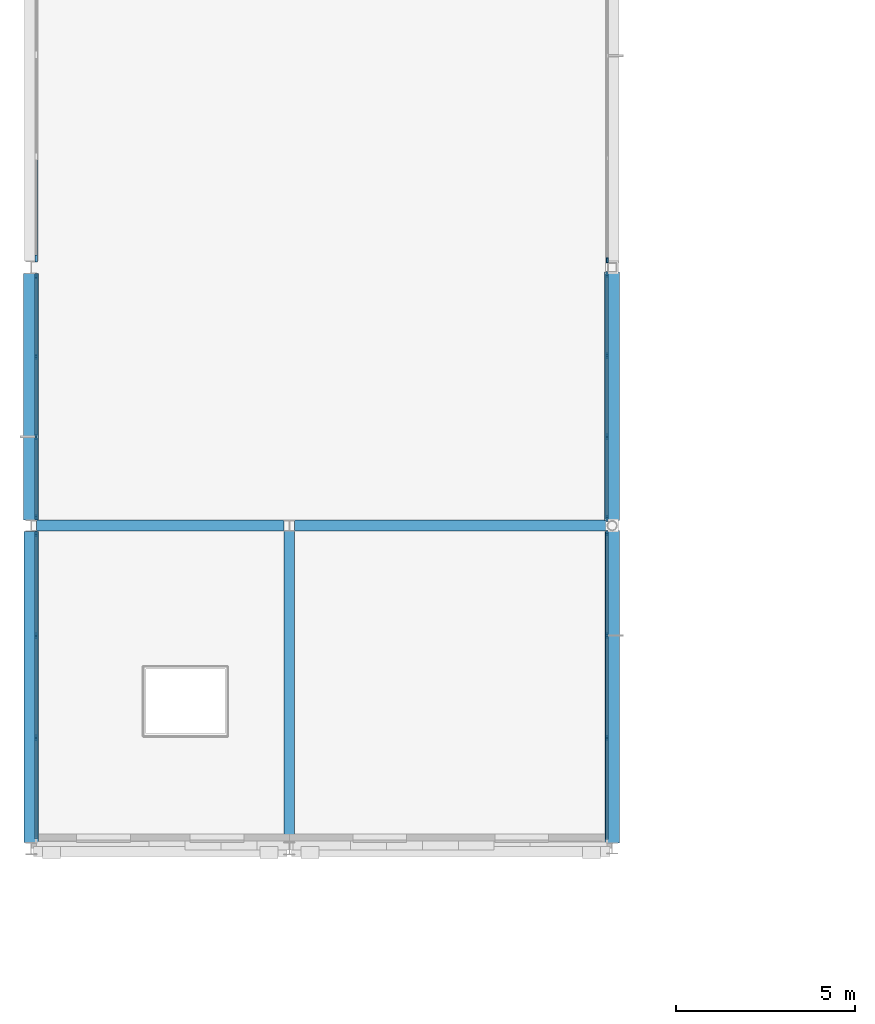
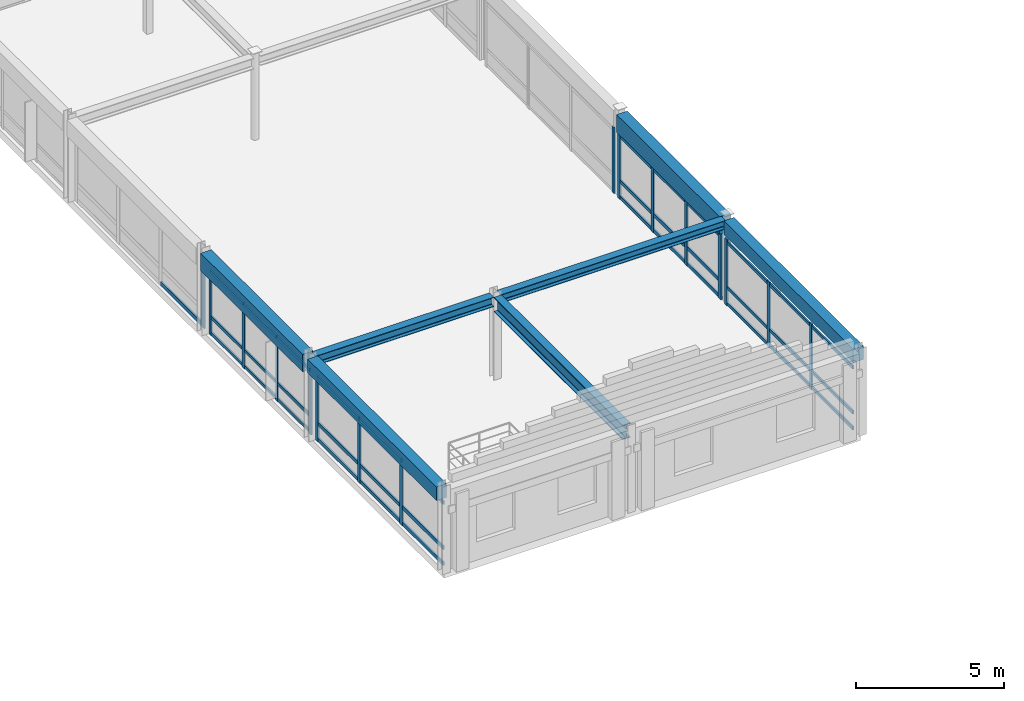
# One storey, part 13 of 52: 53 members, 7 beams, 6 elements without a shape of their own.
"""IFC4 building model written with IfcOpenShell, lengths in metres."""

from ifc_helpers import new_model, si_unit, direction, frame, origin, origin_2d, place, context, subcontext, project, spatial, rectangle, i_section, extrude, material, material_profile, profile_set, type_object, element, aggregate, save


model = new_model("IFC4")

# Units and contexts
model_context = context("Model", 3, precision=1e-05, world=origin(), true_north=direction((0.0, 1.0)))
body_context = subcontext(model_context, "Body", "Model", "MODEL_VIEW")
ifc_project = project(units=[si_unit("LENGTHUNIT", "METRE"), si_unit("AREAUNIT", "SQUARE_METRE"), si_unit("VOLUMEUNIT", "CUBIC_METRE"), si_unit("PLANEANGLEUNIT", "RADIAN"), si_unit("MASSUNIT", "GRAM", prefix="KILO")], contexts=[model_context])

# Site, building, storey
site_placement = place(None, origin())
site = spatial("IfcSite", under=ifc_project, at=site_placement, CompositionType="ELEMENT")
building_placement = place(site_placement, origin())
building = spatial("IfcBuilding", under=site, at=building_placement, Name="Clarverna Civic Hall", CompositionType="ELEMENT")
storey_placement = place(building_placement, frame((0.0, 0.0, 16.800048828125)))
storey = spatial("IfcBuildingStorey", under=building, at=storey_placement, Name="L04", CompositionType="ELEMENT", Elevation=16.800048828125)

# Beams
ifc_material_1 = material(Name="Concrete C35/45", Category="concrete")
ifc_material_profile_1 = material_profile(ifc_material_1, rectangle(XDim=0.419921875, YDim=0.719970703125, at=origin_2d()), Name="RC 420x720")
ifc_profile_set_1 = profile_set([ifc_material_profile_1], Name="Concrete C35/45")
beam_type_1 = type_object("IfcBeamType", Name="B-SP1", PredefinedType="SPANDREL", material=ifc_profile_set_1)
beam_1_placement = place(storey_placement, frame((0.0, 71.760009765625, 3.06005859375), z_axis=(0.0, 1.0, 0.0), x_axis=(-1.0, 0.0, 0.0)))
element("IfcBeam", 1, at=beam_1_placement, inside=storey, type_object=beam_type_1, Name="B-SP1-135", PredefinedType="SPANDREL", context=body_context, shape_type="SweptSolid", body=[
    extrude(rectangle(XDim=0.419921875, YDim=0.719970703125, at=origin_2d()), origin(), (0.0, 0.0, 1.0), 6.864990234375),
])
beam_2_placement = place(storey_placement, frame((16.199951171875, 71.736572265625, 3.06005859375), z_axis=(0.0, 1.0, 0.0), x_axis=(-1.0, 0.0, 0.0)))
element("IfcBeam", 2, at=beam_2_placement, inside=storey, type_object=beam_type_1, Name="B-SP1-137", PredefinedType="SPANDREL", context=body_context, shape_type="SweptSolid", body=[
    extrude(rectangle(XDim=0.419921875, YDim=0.719970703125, at=origin_2d()), origin(), (0.0, 0.0, 1.0), 6.9384765625),
])
ifc_material_profile_2 = material_profile(ifc_material_1, rectangle(XDim=0.39990234375, YDim=0.56005859375, at=origin_2d()), Name="RC 400x560")
ifc_profile_set_2 = profile_set([ifc_material_profile_2], Name="Concrete C35/45")
beam_type_2 = type_object("IfcBeamType", Name="B-SP4", PredefinedType="SPANDREL", material=ifc_profile_set_2)
beam_3_placement = place(storey_placement, frame((0.0, 62.77001953125, 3.139892578125), z_axis=(0.0, 1.0, 0.0), x_axis=(-1.0, 0.0, 0.0)))
element("IfcBeam", 3, at=beam_3_placement, inside=storey, type_object=beam_type_2, Name="B-SP4-138", PredefinedType="SPANDREL", context=body_context, shape_type="SweptSolid", body=[
    extrude(rectangle(XDim=0.39990234375, YDim=0.56005859375, at=origin_2d()), origin(), (0.0, 0.0, 1.0), 8.669921875),
])
beam_4_placement = place(storey_placement, frame((16.199951171875, 62.7548828125, 3.139892578125), z_axis=(0.0, 1.0, 0.0), x_axis=(-1.0, 0.0, 0.0)))
element("IfcBeam", 4, at=beam_4_placement, inside=storey, type_object=beam_type_2, Name="B-SP4-140", PredefinedType="SPANDREL", context=body_context, shape_type="SweptSolid", body=[
    extrude(rectangle(XDim=0.39990234375, YDim=0.56005859375, at=origin_2d()), origin(), (0.0, 0.0, 1.0), 8.70849609375),
])
ifc_material_2 = material(Name="Steel S355", Category="steel")
ifc_material_profile_3 = material_profile(ifc_material_2, i_section(OverallWidth=0.300048828125, OverallDepth=0.60009765625, WebThickness=0.015380859375, FlangeThickness=0.030029296875, FilletRadius=0.027099609375, at=origin_2d()), Name="HEB 600")
ifc_profile_set_3 = profile_set([ifc_material_profile_3], Name="Steel S355")
beam_type_3 = type_object("IfcBeamType", Name="B-ST1", PredefinedType="BEAM", material=ifc_profile_set_3)
beam_5_placement = place(storey_placement, frame((7.199951171875, 62.77490234375, 3.119873046875), z_axis=(0.0, 1.0, 0.0), x_axis=(-1.0, 0.0, 0.0)))
element("IfcBeam", 5, at=beam_5_placement, inside=storey, type_object=beam_type_3, Name="B-ST1-019", PredefinedType="BEAM", context=body_context, shape_type="SweptSolid", body=[
    extrude(i_section(OverallWidth=0.300048828125, OverallDepth=0.60009765625, WebThickness=0.015380859375, FlangeThickness=0.030029296875, FilletRadius=0.027099609375, at=origin_2d()), origin(), (0.0, 0.0, 1.0), 8.670166015625),
])
ifc_material_profile_4 = material_profile(ifc_material_2, i_section(OverallWidth=0.300048828125, OverallDepth=0.389892578125, WebThickness=0.010986328125, FlangeThickness=0.01904296875, FilletRadius=0.027099609375, at=origin_2d()), Name="HEA 400")
ifc_profile_set_4 = profile_set([ifc_material_profile_4], Name="Steel S355")
beam_type_4 = type_object("IfcBeamType", Name="B-ST6", PredefinedType="BEAM", material=ifc_profile_set_4)
beam_6_placement = place(storey_placement, frame((0.14990234375, 71.60009765625, 3.224853515625), z_axis=(1.0, 0.0, 0.0), x_axis=(0.0, 1.0, 0.0)))
element("IfcBeam", 6, at=beam_6_placement, inside=storey, type_object=beam_type_4, Name="B-ST6-017", PredefinedType="BEAM", context=body_context, shape_type="SweptSolid", body=[
    extrude(i_section(OverallWidth=0.300048828125, OverallDepth=0.389892578125, WebThickness=0.010986328125, FlangeThickness=0.01904296875, FilletRadius=0.027099609375, at=origin_2d()), origin(), (0.0, 0.0, 1.0), 6.900146484375),
])
ifc_material_profile_5 = material_profile(ifc_material_2, i_section(OverallWidth=0.300048828125, OverallDepth=0.35009765625, WebThickness=0.010009765625, FlangeThickness=0.017578125, FilletRadius=0.027099609375, at=origin_2d()), Name="HEA 360")
ifc_profile_set_5 = profile_set([ifc_material_profile_5], Name="Steel S355")
beam_type_5 = type_object("IfcBeamType", Name="B-ST7", PredefinedType="BEAM", material=ifc_profile_set_5)
beam_7_placement = place(storey_placement, frame((7.35009765625, 71.60009765625, 3.244873046875), z_axis=(1.0, 0.0, 0.0), x_axis=(0.0, 1.0, 0.0)))
element("IfcBeam", 7, at=beam_7_placement, inside=storey, type_object=beam_type_5, Name="B-ST7-018", PredefinedType="BEAM", context=body_context, shape_type="SweptSolid", body=[
    extrude(i_section(OverallWidth=0.300048828125, OverallDepth=0.35009765625, WebThickness=0.010009765625, FlangeThickness=0.017578125, FilletRadius=0.027099609375, at=origin_2d()), origin(), (0.0, 0.0, 1.0), 8.71337890625),
])

# Curtain wall, members
ifc_material_3 = material(Name="Anodised Bronze Architectural Aluminium", Category="aluminium")
curtain_wall_type = type_object("IfcCurtainWallType", Name="CW-05", PredefinedType="USERDEFINED", material=ifc_material_3)
curtain_wall_1_placement = place(storey_placement, origin())
curtain_wall_1 = element("IfcCurtainWall", 8, at=curtain_wall_1_placement, inside=storey, type_object=curtain_wall_type, Name="CW-05-023", ObjectType="UNITISED CURTAIN WALL", PredefinedType="USERDEFINED")
ifc_material_profile_6 = material_profile(ifc_material_3, rectangle(XDim=0.06005859375, YDim=0.179931640625, at=origin_2d()), Name="BRONZE 60x180")
ifc_profile_set_6 = profile_set([ifc_material_profile_6], Name="Anodised Bronze Architectural Aluminium")
member_type_1 = type_object("IfcMemberType", Name="CWM-01", PredefinedType="MULLION", material=ifc_profile_set_6)
member_1_placement = place(storey_placement, frame((0.139892578125, 65.684326171875, 0.0), z_axis=(0.0, 0.0, 1.0), x_axis=(1.0, 0.0, 0.0)))
member_1 = element("IfcMember", 9, at=member_1_placement, type_object=member_type_1, Name="CWM-01-183", PredefinedType="MULLION", context=body_context, shape_type="SweptSolid", body=[
    extrude(rectangle(XDim=0.06005859375, YDim=0.179931640625, at=origin_2d()), origin(), (0.0, 0.0, 1.0), 2.699951171875),
])
member_2_placement = place(storey_placement, frame((0.139892578125, 68.525634765625, 0.0), z_axis=(0.0, 0.0, 1.0), x_axis=(1.0, 0.0, 0.0)))
member_2 = element("IfcMember", 10, at=member_2_placement, type_object=member_type_1, Name="CWM-01-184", PredefinedType="MULLION", context=body_context, shape_type="SweptSolid", body=[
    extrude(rectangle(XDim=0.06005859375, YDim=0.179931640625, at=origin_2d()), origin(), (0.0, 0.0, 1.0), 2.699951171875),
])
member_3_placement = place(storey_placement, frame((0.139892578125, 71.366943359375, 0.0), z_axis=(0.0, 0.0, 1.0), x_axis=(1.0, 0.0, 0.0)))
member_3 = element("IfcMember", 11, at=member_3_placement, type_object=member_type_1, Name="CWM-01-185", PredefinedType="MULLION", context=body_context, shape_type="SweptSolid", body=[
    extrude(rectangle(XDim=0.06005859375, YDim=0.179931640625, at=origin_2d()), origin(), (0.0, 0.0, 1.0), 2.699951171875),
])

curtain_wall_2_placement = place(storey_placement, origin())
curtain_wall_2 = element("IfcCurtainWall", 12, at=curtain_wall_2_placement, inside=storey, type_object=curtain_wall_type, Name="CW-05-035", ObjectType="UNITISED CURTAIN WALL", PredefinedType="USERDEFINED")
member_4_placement = place(storey_placement, frame((16.06005859375, 78.60205078125, 0.0), z_axis=(0.0, 0.0, 1.0), x_axis=(1.0, 0.0, 0.0)))
member_4 = element("IfcMember", 13, at=member_4_placement, type_object=member_type_1, Name="CWM-01-194", PredefinedType="MULLION", context=body_context, shape_type="SweptSolid", body=[
    extrude(rectangle(XDim=0.06005859375, YDim=0.179931640625, at=origin_2d()), origin(), (0.0, 0.0, 1.0), 2.699951171875),
])
member_5_placement = place(storey_placement, frame((16.06005859375, 76.337890625, 0.0), z_axis=(0.0, 0.0, 1.0), x_axis=(1.0, 0.0, 0.0)))
member_5 = element("IfcMember", 14, at=member_5_placement, type_object=member_type_1, Name="CWM-01-195", PredefinedType="MULLION", context=body_context, shape_type="SweptSolid", body=[
    extrude(rectangle(XDim=0.06005859375, YDim=0.179931640625, at=origin_2d()), origin(), (0.0, 0.0, 1.0), 2.699951171875),
])
member_6_placement = place(storey_placement, frame((16.06005859375, 74.07373046875, 0.0), z_axis=(0.0, 0.0, 1.0), x_axis=(1.0, 0.0, 0.0)))
member_6 = element("IfcMember", 15, at=member_6_placement, type_object=member_type_1, Name="CWM-01-196", PredefinedType="MULLION", context=body_context, shape_type="SweptSolid", body=[
    extrude(rectangle(XDim=0.06005859375, YDim=0.179931640625, at=origin_2d()), origin(), (0.0, 0.0, 1.0), 2.699951171875),
])
member_7_placement = place(storey_placement, frame((16.06005859375, 71.8095703125, 0.0), z_axis=(0.0, 0.0, 1.0), x_axis=(1.0, 0.0, 0.0)))
member_7 = element("IfcMember", 16, at=member_7_placement, type_object=member_type_1, Name="CWM-01-197", PredefinedType="MULLION", context=body_context, shape_type="SweptSolid", body=[
    extrude(rectangle(XDim=0.06005859375, YDim=0.179931640625, at=origin_2d()), origin(), (0.0, 0.0, 1.0), 2.699951171875),
])

curtain_wall_3_placement = place(storey_placement, origin())
curtain_wall_3 = element("IfcCurtainWall", 17, at=curtain_wall_3_placement, inside=storey, type_object=curtain_wall_type, Name="CW-05-024", ObjectType="UNITISED CURTAIN WALL", PredefinedType="USERDEFINED")
ifc_material_profile_7 = material_profile(ifc_material_3, rectangle(XDim=0.06005859375, YDim=0.159912109375, at=origin_2d()), Name="BRONZE 60x160")
ifc_profile_set_7 = profile_set([ifc_material_profile_7], Name="Anodised Bronze Architectural Aluminium")
member_type_2 = type_object("IfcMemberType", Name="CWM-02", PredefinedType="MULLION", material=ifc_profile_set_7)
member_8_placement = place(storey_placement, frame((0.139892578125, 71.8330078125, 0.0), z_axis=(0.0, 0.0, 1.0), x_axis=(1.0, 0.0, 0.0)))
member_8 = element("IfcMember", 18, at=member_8_placement, type_object=member_type_2, Name="CWM-02-211", PredefinedType="MULLION", context=body_context, shape_type="SweptSolid", body=[
    extrude(rectangle(XDim=0.06005859375, YDim=0.159912109375, at=origin_2d()), origin(), (0.0, 0.0, 1.0), 2.699951171875),
])
member_9_placement = place(storey_placement, frame((0.139892578125, 74.07275390625, 0.0), z_axis=(0.0, 0.0, 1.0), x_axis=(1.0, 0.0, 0.0)))
member_9 = element("IfcMember", 19, at=member_9_placement, type_object=member_type_2, Name="CWM-02-212", PredefinedType="MULLION", context=body_context, shape_type="SweptSolid", body=[
    extrude(rectangle(XDim=0.06005859375, YDim=0.159912109375, at=origin_2d()), origin(), (0.0, 0.0, 1.0), 2.699951171875),
])
member_10_placement = place(storey_placement, frame((0.139892578125, 76.312255859375, 0.0), z_axis=(0.0, 0.0, 1.0), x_axis=(1.0, 0.0, 0.0)))
member_10 = element("IfcMember", 20, at=member_10_placement, type_object=member_type_2, Name="CWM-02-213", PredefinedType="MULLION", context=body_context, shape_type="SweptSolid", body=[
    extrude(rectangle(XDim=0.06005859375, YDim=0.159912109375, at=origin_2d()), origin(), (0.0, 0.0, 1.0), 2.699951171875),
])
member_11_placement = place(storey_placement, frame((0.139892578125, 78.552001953125, 0.0), z_axis=(0.0, 0.0, 1.0), x_axis=(1.0, 0.0, 0.0)))
member_11 = element("IfcMember", 21, at=member_11_placement, type_object=member_type_2, Name="CWM-02-214", PredefinedType="MULLION", context=body_context, shape_type="SweptSolid", body=[
    extrude(rectangle(XDim=0.06005859375, YDim=0.159912109375, at=origin_2d()), origin(), (0.0, 0.0, 1.0), 2.699951171875),
])

curtain_wall_4_placement = place(storey_placement, origin())
curtain_wall_4 = element("IfcCurtainWall", 22, at=curtain_wall_4_placement, inside=storey, type_object=curtain_wall_type, Name="CW-05-036", ObjectType="UNITISED CURTAIN WALL", PredefinedType="USERDEFINED")
member_12_placement = place(storey_placement, frame((16.06005859375, 71.390380859375, 0.0), z_axis=(0.0, 0.0, 1.0), x_axis=(1.0, 0.0, 0.0)))
member_12 = element("IfcMember", 23, at=member_12_placement, type_object=member_type_2, Name="CWM-02-223", PredefinedType="MULLION", context=body_context, shape_type="SweptSolid", body=[
    extrude(rectangle(XDim=0.06005859375, YDim=0.159912109375, at=origin_2d()), origin(), (0.0, 0.0, 1.0), 2.699951171875),
])
member_13_placement = place(storey_placement, frame((16.06005859375, 68.536376953125, 0.0), z_axis=(0.0, 0.0, 1.0), x_axis=(1.0, 0.0, 0.0)))
member_13 = element("IfcMember", 24, at=member_13_placement, type_object=member_type_2, Name="CWM-02-224", PredefinedType="MULLION", context=body_context, shape_type="SweptSolid", body=[
    extrude(rectangle(XDim=0.06005859375, YDim=0.159912109375, at=origin_2d()), origin(), (0.0, 0.0, 1.0), 2.699951171875),
])
member_14_placement = place(storey_placement, frame((16.06005859375, 65.68212890625, 0.0), z_axis=(0.0, 0.0, 1.0), x_axis=(1.0, 0.0, 0.0)))
member_14 = element("IfcMember", 25, at=member_14_placement, type_object=member_type_2, Name="CWM-02-225", PredefinedType="MULLION", context=body_context, shape_type="SweptSolid", body=[
    extrude(rectangle(XDim=0.06005859375, YDim=0.159912109375, at=origin_2d()), origin(), (0.0, 0.0, 1.0), 2.699951171875),
])

# Curtain wall, member
curtain_wall_5_placement = place(storey_placement, origin())
curtain_wall_5 = element("IfcCurtainWall", 26, at=curtain_wall_5_placement, inside=storey, type_object=curtain_wall_type, Name="CW-05-025", ObjectType="UNITISED CURTAIN WALL", PredefinedType="USERDEFINED")
ifc_material_profile_8 = material_profile(ifc_material_3, rectangle(XDim=0.06494140625, YDim=0.199951171875, at=origin_2d()), Name="BRONZE 65x200")
ifc_profile_set_8 = profile_set([ifc_material_profile_8], Name="Anodised Bronze Architectural Aluminium")
member_type_3 = type_object("IfcMemberType", Name="CWM-03", PredefinedType="MULLION", material=ifc_profile_set_8)
member_15_placement = place(storey_placement, frame((0.139892578125, 79.048095703125, 0.0), z_axis=(0.0, 0.0, 1.0), x_axis=(1.0, 0.0, 0.0)))
member_15 = element("IfcMember", 27, at=member_15_placement, type_object=member_type_3, Name="CWM-03-188", PredefinedType="MULLION", context=body_context, shape_type="SweptSolid", body=[
    extrude(rectangle(XDim=0.06494140625, YDim=0.199951171875, at=origin_2d()), origin(), (0.0, 0.0, 1.0), 2.699951171875),
])

curtain_wall_6_placement = place(storey_placement, origin())
curtain_wall_6 = element("IfcCurtainWall", 28, at=curtain_wall_6_placement, inside=storey, type_object=curtain_wall_type, Name="CW-05-034", ObjectType="UNITISED CURTAIN WALL", PredefinedType="USERDEFINED")
ifc_material_profile_9 = material_profile(ifc_material_3, rectangle(XDim=0.054931640625, YDim=0.139892578125, at=origin_2d()), Name="BRONZE 55x140")
ifc_profile_set_9 = profile_set([ifc_material_profile_9], Name="Anodised Bronze Architectural Aluminium")
member_type_4 = type_object("IfcMemberType", Name="CWM-04", PredefinedType="MULLION", material=ifc_profile_set_9)
member_16_placement = place(storey_placement, frame((16.06005859375, 78.998046875, 0.0), z_axis=(0.0, 0.0, 1.0), x_axis=(1.0, 0.0, 0.0)))
member_16 = element("IfcMember", 29, at=member_16_placement, type_object=member_type_4, Name="CWM-04-221", PredefinedType="MULLION", context=body_context, shape_type="SweptSolid", body=[
    extrude(rectangle(XDim=0.054931640625, YDim=0.139892578125, at=origin_2d()), origin(), (0.0, 0.0, 1.0), 2.699951171875),
])
aggregate(curtain_wall_6, [member_16])

# Member
ifc_material_profile_10 = material_profile(ifc_material_3, rectangle(XDim=0.06005859375, YDim=0.14990234375, at=origin_2d()), Name="BRONZE 60x150")
ifc_profile_set_10 = profile_set([ifc_material_profile_10], Name="Anodised Bronze Architectural Aluminium")
member_type_5 = type_object("IfcMemberType", Name="CWT-01", PredefinedType="USERDEFINED", material=ifc_profile_set_10)
member_17_placement = place(storey_placement, frame((0.139892578125, 62.85791015625, 0.094970703125), z_axis=(0.0, 1.0, 0.0), x_axis=(-1.0, 0.0, 0.0)))
member_17 = element("IfcMember", 30, at=member_17_placement, type_object=member_type_5, Name="CWT-01-388", ObjectType="TRANSOM", PredefinedType="USERDEFINED", context=body_context, shape_type="SweptSolid", body=[
    extrude(rectangle(XDim=0.06005859375, YDim=0.14990234375, at=origin_2d()), origin(), (0.0, 0.0, 1.0), 2.811279296875),
])

member_18_placement = place(storey_placement, frame((0.139892578125, 62.85791015625, 0.75), z_axis=(0.0, 1.0, 0.0), x_axis=(-1.0, 0.0, 0.0)))
member_18 = element("IfcMember", 31, at=member_18_placement, type_object=member_type_5, Name="CWT-01-389", ObjectType="TRANSOM", PredefinedType="USERDEFINED", context=body_context, shape_type="SweptSolid", body=[
    extrude(rectangle(XDim=0.06005859375, YDim=0.14990234375, at=origin_2d()), origin(), (0.0, 0.0, 1.0), 2.811279296875),
])

member_19_placement = place(storey_placement, frame((0.139892578125, 62.85791015625, 2.60498046875), z_axis=(0.0, 1.0, 0.0), x_axis=(-1.0, 0.0, 0.0)))
member_19 = element("IfcMember", 32, at=member_19_placement, type_object=member_type_5, Name="CWT-01-390", ObjectType="TRANSOM", PredefinedType="USERDEFINED", context=body_context, shape_type="SweptSolid", body=[
    extrude(rectangle(XDim=0.06005859375, YDim=0.14990234375, at=origin_2d()), origin(), (0.0, 0.0, 1.0), 2.811279296875),
])

member_20_placement = place(storey_placement, frame((0.139892578125, 65.69921875, 0.094970703125), z_axis=(0.0, 1.0, 0.0), x_axis=(-1.0, 0.0, 0.0)))
member_20 = element("IfcMember", 33, at=member_20_placement, type_object=member_type_5, Name="CWT-01-391", ObjectType="TRANSOM", PredefinedType="USERDEFINED", context=body_context, shape_type="SweptSolid", body=[
    extrude(rectangle(XDim=0.06005859375, YDim=0.14990234375, at=origin_2d()), origin(), (0.0, 0.0, 1.0), 2.8115234375),
])

member_21_placement = place(storey_placement, frame((0.139892578125, 65.69921875, 0.75), z_axis=(0.0, 1.0, 0.0), x_axis=(-1.0, 0.0, 0.0)))
member_21 = element("IfcMember", 34, at=member_21_placement, type_object=member_type_5, Name="CWT-01-392", ObjectType="TRANSOM", PredefinedType="USERDEFINED", context=body_context, shape_type="SweptSolid", body=[
    extrude(rectangle(XDim=0.06005859375, YDim=0.14990234375, at=origin_2d()), origin(), (0.0, 0.0, 1.0), 2.8115234375),
])

member_22_placement = place(storey_placement, frame((0.139892578125, 65.69921875, 2.60498046875), z_axis=(0.0, 1.0, 0.0), x_axis=(-1.0, 0.0, 0.0)))
member_22 = element("IfcMember", 35, at=member_22_placement, type_object=member_type_5, Name="CWT-01-393", ObjectType="TRANSOM", PredefinedType="USERDEFINED", context=body_context, shape_type="SweptSolid", body=[
    extrude(rectangle(XDim=0.06005859375, YDim=0.14990234375, at=origin_2d()), origin(), (0.0, 0.0, 1.0), 2.8115234375),
])

member_23_placement = place(storey_placement, frame((0.139892578125, 68.540771484375, 0.094970703125), z_axis=(0.0, 1.0, 0.0), x_axis=(-1.0, 0.0, 0.0)))
member_23 = element("IfcMember", 36, at=member_23_placement, type_object=member_type_5, Name="CWT-01-394", ObjectType="TRANSOM", PredefinedType="USERDEFINED", context=body_context, shape_type="SweptSolid", body=[
    extrude(rectangle(XDim=0.06005859375, YDim=0.14990234375, at=origin_2d()), origin(), (0.0, 0.0, 1.0), 2.811279296875),
])

member_24_placement = place(storey_placement, frame((0.139892578125, 68.540771484375, 0.75), z_axis=(0.0, 1.0, 0.0), x_axis=(-1.0, 0.0, 0.0)))
member_24 = element("IfcMember", 37, at=member_24_placement, type_object=member_type_5, Name="CWT-01-395", ObjectType="TRANSOM", PredefinedType="USERDEFINED", context=body_context, shape_type="SweptSolid", body=[
    extrude(rectangle(XDim=0.06005859375, YDim=0.14990234375, at=origin_2d()), origin(), (0.0, 0.0, 1.0), 2.811279296875),
])

member_25_placement = place(storey_placement, frame((0.139892578125, 68.540771484375, 2.60498046875), z_axis=(0.0, 1.0, 0.0), x_axis=(-1.0, 0.0, 0.0)))
member_25 = element("IfcMember", 38, at=member_25_placement, type_object=member_type_5, Name="CWT-01-396", ObjectType="TRANSOM", PredefinedType="USERDEFINED", context=body_context, shape_type="SweptSolid", body=[
    extrude(rectangle(XDim=0.06005859375, YDim=0.14990234375, at=origin_2d()), origin(), (0.0, 0.0, 1.0), 2.811279296875),
])

aggregate(curtain_wall_1, [member_1, member_2, member_3, member_17, member_18, member_19, member_20, member_21, member_22, member_23, member_24, member_25])

member_26_placement = place(storey_placement, frame((16.06005859375, 78.5869140625, 0.094970703125), z_axis=(0.0, -1.0, 0.0), x_axis=(1.0, 0.0, 0.0)))
member_26 = element("IfcMember", 39, at=member_26_placement, type_object=member_type_5, Name="CWT-01-415", ObjectType="TRANSOM", PredefinedType="USERDEFINED", context=body_context, shape_type="SweptSolid", body=[
    extrude(rectangle(XDim=0.06005859375, YDim=0.14990234375, at=origin_2d()), origin(), (0.0, 0.0, 1.0), 2.234130859375),
])

member_27_placement = place(storey_placement, frame((16.06005859375, 78.5869140625, 0.75), z_axis=(0.0, -1.0, 0.0), x_axis=(1.0, 0.0, 0.0)))
member_27 = element("IfcMember", 40, at=member_27_placement, type_object=member_type_5, Name="CWT-01-416", ObjectType="TRANSOM", PredefinedType="USERDEFINED", context=body_context, shape_type="SweptSolid", body=[
    extrude(rectangle(XDim=0.06005859375, YDim=0.14990234375, at=origin_2d()), origin(), (0.0, 0.0, 1.0), 2.234130859375),
])

member_28_placement = place(storey_placement, frame((16.06005859375, 78.5869140625, 2.60498046875), z_axis=(0.0, -1.0, 0.0), x_axis=(1.0, 0.0, 0.0)))
member_28 = element("IfcMember", 41, at=member_28_placement, type_object=member_type_5, Name="CWT-01-417", ObjectType="TRANSOM", PredefinedType="USERDEFINED", context=body_context, shape_type="SweptSolid", body=[
    extrude(rectangle(XDim=0.06005859375, YDim=0.14990234375, at=origin_2d()), origin(), (0.0, 0.0, 1.0), 2.234130859375),
])

member_29_placement = place(storey_placement, frame((16.06005859375, 76.32275390625, 0.094970703125), z_axis=(0.0, -1.0, 0.0), x_axis=(1.0, 0.0, 0.0)))
member_29 = element("IfcMember", 42, at=member_29_placement, type_object=member_type_5, Name="CWT-01-418", ObjectType="TRANSOM", PredefinedType="USERDEFINED", context=body_context, shape_type="SweptSolid", body=[
    extrude(rectangle(XDim=0.06005859375, YDim=0.14990234375, at=origin_2d()), origin(), (0.0, 0.0, 1.0), 2.234130859375),
])

member_30_placement = place(storey_placement, frame((16.06005859375, 76.32275390625, 0.75), z_axis=(0.0, -1.0, 0.0), x_axis=(1.0, 0.0, 0.0)))
member_30 = element("IfcMember", 43, at=member_30_placement, type_object=member_type_5, Name="CWT-01-419", ObjectType="TRANSOM", PredefinedType="USERDEFINED", context=body_context, shape_type="SweptSolid", body=[
    extrude(rectangle(XDim=0.06005859375, YDim=0.14990234375, at=origin_2d()), origin(), (0.0, 0.0, 1.0), 2.234130859375),
])

member_31_placement = place(storey_placement, frame((16.06005859375, 76.32275390625, 2.60498046875), z_axis=(0.0, -1.0, 0.0), x_axis=(1.0, 0.0, 0.0)))
member_31 = element("IfcMember", 44, at=member_31_placement, type_object=member_type_5, Name="CWT-01-420", ObjectType="TRANSOM", PredefinedType="USERDEFINED", context=body_context, shape_type="SweptSolid", body=[
    extrude(rectangle(XDim=0.06005859375, YDim=0.14990234375, at=origin_2d()), origin(), (0.0, 0.0, 1.0), 2.234130859375),
])

member_32_placement = place(storey_placement, frame((16.06005859375, 74.05859375, 0.094970703125), z_axis=(0.0, -1.0, 0.0), x_axis=(1.0, 0.0, 0.0)))
member_32 = element("IfcMember", 45, at=member_32_placement, type_object=member_type_5, Name="CWT-01-421", ObjectType="TRANSOM", PredefinedType="USERDEFINED", context=body_context, shape_type="SweptSolid", body=[
    extrude(rectangle(XDim=0.06005859375, YDim=0.14990234375, at=origin_2d()), origin(), (0.0, 0.0, 1.0), 2.234130859375),
])

member_33_placement = place(storey_placement, frame((16.06005859375, 74.05859375, 0.75), z_axis=(0.0, -1.0, 0.0), x_axis=(1.0, 0.0, 0.0)))
member_33 = element("IfcMember", 46, at=member_33_placement, type_object=member_type_5, Name="CWT-01-422", ObjectType="TRANSOM", PredefinedType="USERDEFINED", context=body_context, shape_type="SweptSolid", body=[
    extrude(rectangle(XDim=0.06005859375, YDim=0.14990234375, at=origin_2d()), origin(), (0.0, 0.0, 1.0), 2.234130859375),
])

member_34_placement = place(storey_placement, frame((16.06005859375, 74.05859375, 2.60498046875), z_axis=(0.0, -1.0, 0.0), x_axis=(1.0, 0.0, 0.0)))
member_34 = element("IfcMember", 47, at=member_34_placement, type_object=member_type_5, Name="CWT-01-423", ObjectType="TRANSOM", PredefinedType="USERDEFINED", context=body_context, shape_type="SweptSolid", body=[
    extrude(rectangle(XDim=0.06005859375, YDim=0.14990234375, at=origin_2d()), origin(), (0.0, 0.0, 1.0), 2.234130859375),
])

aggregate(curtain_wall_2, [member_4, member_5, member_6, member_7, member_26, member_27, member_28, member_29, member_30, member_31, member_32, member_33, member_34])

ifc_material_profile_11 = material_profile(ifc_material_3, rectangle(XDim=0.06005859375, YDim=0.1298828125, at=origin_2d()), Name="BRONZE 60x130")
ifc_profile_set_11 = profile_set([ifc_material_profile_11], Name="Anodised Bronze Architectural Aluminium")
member_type_6 = type_object("IfcMemberType", Name="CWT-02", PredefinedType="USERDEFINED", material=ifc_profile_set_11)
member_35_placement = place(storey_placement, frame((0.139892578125, 71.847900390625, 0.094970703125), z_axis=(0.0, 1.0, 0.0), x_axis=(-1.0, 0.0, 0.0)))
member_35 = element("IfcMember", 48, at=member_35_placement, type_object=member_type_6, Name="CWT-02-448", ObjectType="TRANSOM", PredefinedType="USERDEFINED", context=body_context, shape_type="SweptSolid", body=[
    extrude(rectangle(XDim=0.06005859375, YDim=0.1298828125, at=origin_2d()), origin(), (0.0, 0.0, 1.0), 2.209716796875),
])

member_36_placement = place(storey_placement, frame((0.139892578125, 71.847900390625, 0.75), z_axis=(0.0, 1.0, 0.0), x_axis=(-1.0, 0.0, 0.0)))
member_36 = element("IfcMember", 49, at=member_36_placement, type_object=member_type_6, Name="CWT-02-449", ObjectType="TRANSOM", PredefinedType="USERDEFINED", context=body_context, shape_type="SweptSolid", body=[
    extrude(rectangle(XDim=0.06005859375, YDim=0.1298828125, at=origin_2d()), origin(), (0.0, 0.0, 1.0), 2.209716796875),
])

member_37_placement = place(storey_placement, frame((0.139892578125, 71.847900390625, 2.60498046875), z_axis=(0.0, 1.0, 0.0), x_axis=(-1.0, 0.0, 0.0)))
member_37 = element("IfcMember", 50, at=member_37_placement, type_object=member_type_6, Name="CWT-02-450", ObjectType="TRANSOM", PredefinedType="USERDEFINED", context=body_context, shape_type="SweptSolid", body=[
    extrude(rectangle(XDim=0.06005859375, YDim=0.1298828125, at=origin_2d()), origin(), (0.0, 0.0, 1.0), 2.209716796875),
])

member_38_placement = place(storey_placement, frame((0.139892578125, 74.087646484375, 0.094970703125), z_axis=(0.0, 1.0, 0.0), x_axis=(-1.0, 0.0, 0.0)))
member_38 = element("IfcMember", 51, at=member_38_placement, type_object=member_type_6, Name="CWT-02-451", ObjectType="TRANSOM", PredefinedType="USERDEFINED", context=body_context, shape_type="SweptSolid", body=[
    extrude(rectangle(XDim=0.06005859375, YDim=0.1298828125, at=origin_2d()), origin(), (0.0, 0.0, 1.0), 2.209716796875),
])

member_39_placement = place(storey_placement, frame((0.139892578125, 74.087646484375, 0.75), z_axis=(0.0, 1.0, 0.0), x_axis=(-1.0, 0.0, 0.0)))
member_39 = element("IfcMember", 52, at=member_39_placement, type_object=member_type_6, Name="CWT-02-452", ObjectType="TRANSOM", PredefinedType="USERDEFINED", context=body_context, shape_type="SweptSolid", body=[
    extrude(rectangle(XDim=0.06005859375, YDim=0.1298828125, at=origin_2d()), origin(), (0.0, 0.0, 1.0), 2.209716796875),
])

member_40_placement = place(storey_placement, frame((0.139892578125, 74.087646484375, 2.60498046875), z_axis=(0.0, 1.0, 0.0), x_axis=(-1.0, 0.0, 0.0)))
member_40 = element("IfcMember", 53, at=member_40_placement, type_object=member_type_6, Name="CWT-02-453", ObjectType="TRANSOM", PredefinedType="USERDEFINED", context=body_context, shape_type="SweptSolid", body=[
    extrude(rectangle(XDim=0.06005859375, YDim=0.1298828125, at=origin_2d()), origin(), (0.0, 0.0, 1.0), 2.209716796875),
])

member_41_placement = place(storey_placement, frame((0.139892578125, 76.327392578125, 0.094970703125), z_axis=(0.0, 1.0, 0.0), x_axis=(-1.0, 0.0, 0.0)))
member_41 = element("IfcMember", 54, at=member_41_placement, type_object=member_type_6, Name="CWT-02-454", ObjectType="TRANSOM", PredefinedType="USERDEFINED", context=body_context, shape_type="SweptSolid", body=[
    extrude(rectangle(XDim=0.06005859375, YDim=0.1298828125, at=origin_2d()), origin(), (0.0, 0.0, 1.0), 2.209716796875),
])

member_42_placement = place(storey_placement, frame((0.139892578125, 76.327392578125, 0.75), z_axis=(0.0, 1.0, 0.0), x_axis=(-1.0, 0.0, 0.0)))
member_42 = element("IfcMember", 55, at=member_42_placement, type_object=member_type_6, Name="CWT-02-455", ObjectType="TRANSOM", PredefinedType="USERDEFINED", context=body_context, shape_type="SweptSolid", body=[
    extrude(rectangle(XDim=0.06005859375, YDim=0.1298828125, at=origin_2d()), origin(), (0.0, 0.0, 1.0), 2.209716796875),
])

member_43_placement = place(storey_placement, frame((0.139892578125, 76.327392578125, 2.60498046875), z_axis=(0.0, 1.0, 0.0), x_axis=(-1.0, 0.0, 0.0)))
member_43 = element("IfcMember", 56, at=member_43_placement, type_object=member_type_6, Name="CWT-02-456", ObjectType="TRANSOM", PredefinedType="USERDEFINED", context=body_context, shape_type="SweptSolid", body=[
    extrude(rectangle(XDim=0.06005859375, YDim=0.1298828125, at=origin_2d()), origin(), (0.0, 0.0, 1.0), 2.209716796875),
])

aggregate(curtain_wall_3, [member_8, member_9, member_10, member_11, member_35, member_36, member_37, member_38, member_39, member_40, member_41, member_42, member_43])

member_44_placement = place(storey_placement, frame((16.06005859375, 71.37548828125, 0.094970703125), z_axis=(0.0, -1.0, 0.0), x_axis=(1.0, 0.0, 0.0)))
member_44 = element("IfcMember", 57, at=member_44_placement, type_object=member_type_6, Name="CWT-02-475", ObjectType="TRANSOM", PredefinedType="USERDEFINED", context=body_context, shape_type="SweptSolid", body=[
    extrude(rectangle(XDim=0.06005859375, YDim=0.1298828125, at=origin_2d()), origin(), (0.0, 0.0, 1.0), 2.82421875),
])

member_45_placement = place(storey_placement, frame((16.06005859375, 71.37548828125, 0.75), z_axis=(0.0, -1.0, 0.0), x_axis=(1.0, 0.0, 0.0)))
member_45 = element("IfcMember", 58, at=member_45_placement, type_object=member_type_6, Name="CWT-02-476", ObjectType="TRANSOM", PredefinedType="USERDEFINED", context=body_context, shape_type="SweptSolid", body=[
    extrude(rectangle(XDim=0.06005859375, YDim=0.1298828125, at=origin_2d()), origin(), (0.0, 0.0, 1.0), 2.82421875),
])

member_46_placement = place(storey_placement, frame((16.06005859375, 71.37548828125, 2.60498046875), z_axis=(0.0, -1.0, 0.0), x_axis=(1.0, 0.0, 0.0)))
member_46 = element("IfcMember", 59, at=member_46_placement, type_object=member_type_6, Name="CWT-02-477", ObjectType="TRANSOM", PredefinedType="USERDEFINED", context=body_context, shape_type="SweptSolid", body=[
    extrude(rectangle(XDim=0.06005859375, YDim=0.1298828125, at=origin_2d()), origin(), (0.0, 0.0, 1.0), 2.82421875),
])

member_47_placement = place(storey_placement, frame((16.06005859375, 68.521240234375, 0.094970703125), z_axis=(0.0, -1.0, 0.0), x_axis=(1.0, 0.0, 0.0)))
member_47 = element("IfcMember", 60, at=member_47_placement, type_object=member_type_6, Name="CWT-02-478", ObjectType="TRANSOM", PredefinedType="USERDEFINED", context=body_context, shape_type="SweptSolid", body=[
    extrude(rectangle(XDim=0.06005859375, YDim=0.1298828125, at=origin_2d()), origin(), (0.0, 0.0, 1.0), 2.823974609375),
])

member_48_placement = place(storey_placement, frame((16.06005859375, 68.521240234375, 0.75), z_axis=(0.0, -1.0, 0.0), x_axis=(1.0, 0.0, 0.0)))
member_48 = element("IfcMember", 61, at=member_48_placement, type_object=member_type_6, Name="CWT-02-479", ObjectType="TRANSOM", PredefinedType="USERDEFINED", context=body_context, shape_type="SweptSolid", body=[
    extrude(rectangle(XDim=0.06005859375, YDim=0.1298828125, at=origin_2d()), origin(), (0.0, 0.0, 1.0), 2.823974609375),
])

member_49_placement = place(storey_placement, frame((16.06005859375, 68.521240234375, 2.60498046875), z_axis=(0.0, -1.0, 0.0), x_axis=(1.0, 0.0, 0.0)))
member_49 = element("IfcMember", 62, at=member_49_placement, type_object=member_type_6, Name="CWT-02-480", ObjectType="TRANSOM", PredefinedType="USERDEFINED", context=body_context, shape_type="SweptSolid", body=[
    extrude(rectangle(XDim=0.06005859375, YDim=0.1298828125, at=origin_2d()), origin(), (0.0, 0.0, 1.0), 2.823974609375),
])

member_50_placement = place(storey_placement, frame((16.06005859375, 65.667236328125, 0.094970703125), z_axis=(0.0, -1.0, 0.0), x_axis=(1.0, 0.0, 0.0)))
member_50 = element("IfcMember", 63, at=member_50_placement, type_object=member_type_6, Name="CWT-02-481", ObjectType="TRANSOM", PredefinedType="USERDEFINED", context=body_context, shape_type="SweptSolid", body=[
    extrude(rectangle(XDim=0.06005859375, YDim=0.1298828125, at=origin_2d()), origin(), (0.0, 0.0, 1.0), 2.82421875),
])

member_51_placement = place(storey_placement, frame((16.06005859375, 65.667236328125, 0.75), z_axis=(0.0, -1.0, 0.0), x_axis=(1.0, 0.0, 0.0)))
member_51 = element("IfcMember", 64, at=member_51_placement, type_object=member_type_6, Name="CWT-02-482", ObjectType="TRANSOM", PredefinedType="USERDEFINED", context=body_context, shape_type="SweptSolid", body=[
    extrude(rectangle(XDim=0.06005859375, YDim=0.1298828125, at=origin_2d()), origin(), (0.0, 0.0, 1.0), 2.82421875),
])

member_52_placement = place(storey_placement, frame((16.06005859375, 65.667236328125, 2.60498046875), z_axis=(0.0, -1.0, 0.0), x_axis=(1.0, 0.0, 0.0)))
member_52 = element("IfcMember", 65, at=member_52_placement, type_object=member_type_6, Name="CWT-02-483", ObjectType="TRANSOM", PredefinedType="USERDEFINED", context=body_context, shape_type="SweptSolid", body=[
    extrude(rectangle(XDim=0.06005859375, YDim=0.1298828125, at=origin_2d()), origin(), (0.0, 0.0, 1.0), 2.82421875),
])

aggregate(curtain_wall_4, [member_12, member_13, member_14, member_44, member_45, member_46, member_47, member_48, member_49, member_50, member_51, member_52])

ifc_material_profile_12 = material_profile(ifc_material_3, rectangle(XDim=0.06494140625, YDim=0.169921875, at=origin_2d()), Name="BRONZE 65x170")
ifc_profile_set_12 = profile_set([ifc_material_profile_12], Name="Anodised Bronze Architectural Aluminium")
member_type_7 = type_object("IfcMemberType", Name="CWT-03", PredefinedType="USERDEFINED", material=ifc_profile_set_12)
member_53_placement = place(storey_placement, frame((0.139892578125, 79.06298828125, 0.094970703125), z_axis=(0.0, 1.0, 0.0), x_axis=(-1.0, 0.0, 0.0)))
member_53 = element("IfcMember", 66, at=member_53_placement, type_object=member_type_7, Name="CWT-03-400", ObjectType="TRANSOM", PredefinedType="USERDEFINED", context=body_context, shape_type="SweptSolid", body=[
    extrude(rectangle(XDim=0.06494140625, YDim=0.169921875, at=origin_2d()), origin(), (0.0, 0.0, 1.0), 2.811279296875),
])

aggregate(curtain_wall_5, [member_15, member_53])

save(model, "model.ifc")
